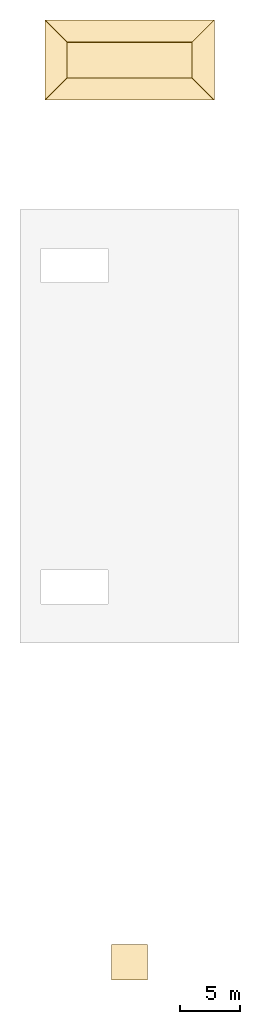
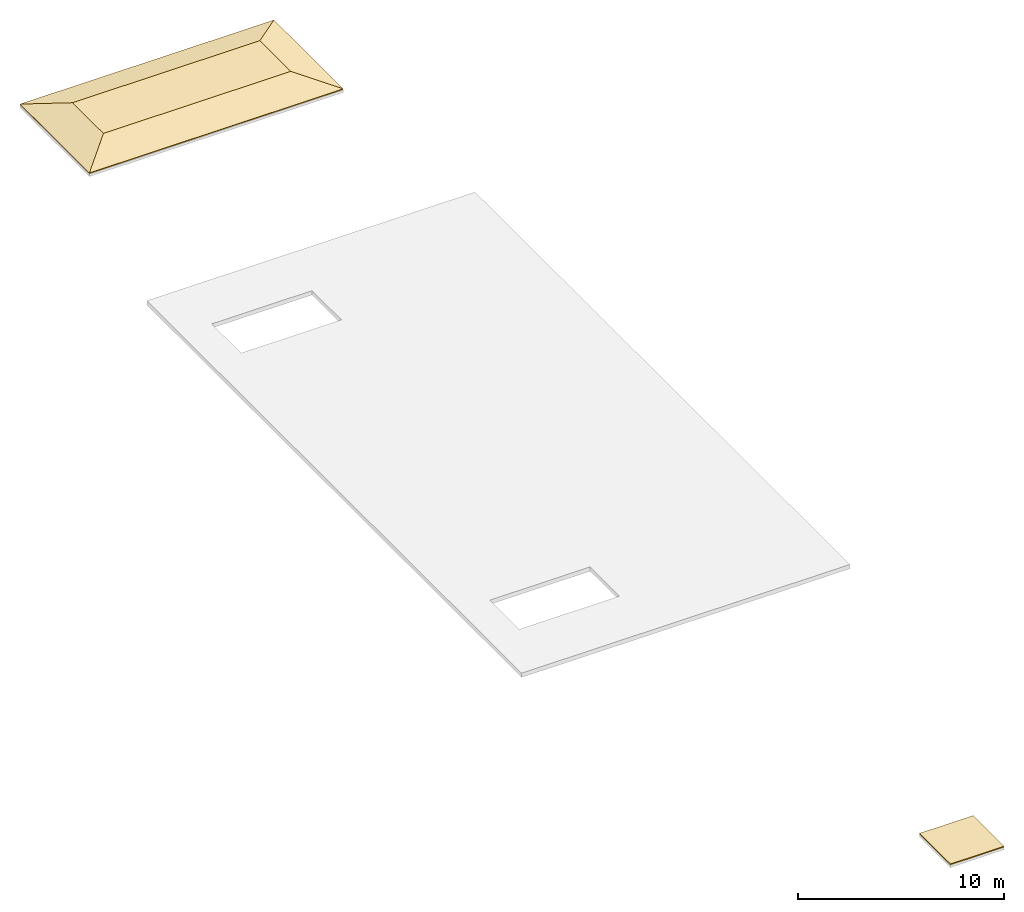
# One storey, part 2 of 2: 6 coverings.
"""IFC4 building model written with IfcOpenShell, lengths in metres."""

from ifc_helpers import new_model, si_unit, direction, frame, origin, place, context, subcontext, project, spatial, polyline, outline, extrude, material, layer, layer_set, type_object, element, save


model = new_model("IFC4")

# Units and contexts
model_context = context("Model", 3, precision=1e-05, world=origin(), true_north=direction((0.0, 1.0)))
body_context = subcontext(model_context, "Body", "Model", "MODEL_VIEW")
ifc_project = project(units=[si_unit("LENGTHUNIT", "METRE"), si_unit("AREAUNIT", "SQUARE_METRE"), si_unit("VOLUMEUNIT", "CUBIC_METRE"), si_unit("PLANEANGLEUNIT", "RADIAN"), si_unit("MASSUNIT", "GRAM", prefix="KILO")], contexts=[model_context])

# Site, building, storey
site_placement = place(None, origin())
site = spatial("IfcSite", under=ifc_project, at=site_placement, CompositionType="ELEMENT")
building_placement = place(site_placement, origin())
building = spatial("IfcBuilding", under=site, at=building_placement, Name="Golden Quay Civic Hall", CompositionType="ELEMENT")
storey_placement = place(building_placement, frame((0.0, 0.0, 30.60009765625)))
storey = spatial("IfcBuildingStorey", under=building, at=storey_placement, Name="Roof", CompositionType="ELEMENT", Elevation=30.60009765625)

# Coverings
ifc_material = material(Name="Clay roof tile")
ifc_layer = layer(ifc_material, 0.06005859375)
ifc_layer_set = layer_set([ifc_layer], Name="Clay roof tile 60")
covering_type = type_object("IfcCoveringType", Name="Clay roof tile 60", PredefinedType="ROOFING", material=ifc_layer_set)
covering_1_placement = place(storey_placement, frame((0.0, 0.0, 3.09814453125)))
element("IfcCovering", 1, at=covering_1_placement, inside=storey, type_object=covering_type, Name="Roof tiles WO-S cap", PredefinedType="ROOFING", context=body_context, shape_type="SweptSolid", body=[
    extrude(outline(polyline([(7.5, -1.5), (10.5, -1.5), (10.5, 1.5), (7.5, 1.5), (7.5, -1.5)])), origin(), (0.0, 0.0, 1.0), 0.06005859375),
])
covering_2_placement = place(storey_placement, frame((1.883056640625, 72.383056640625, 1.274169921875), z_axis=(0.0, -0.287336394204, 0.957829732555), x_axis=(1.0, 0.0, 0.0)))
element("IfcCovering", 2, at=covering_2_placement, inside=storey, type_object=covering_type, Name="Roof tiles WO-N south upper", PredefinedType="ROOFING", context=body_context, shape_type="SweptSolid", body=[
    extrude(outline(polyline([(0.0, 0.0), (14.23388671875, 0.0), (12.366943359375, 1.9491390754760518), (1.866943359375, 1.9491390754760518), (0.0, 0.0)])), origin(), (0.0, 0.0, -1.0), 0.06005859375),
])
covering_3_placement = place(storey_placement, frame((1.883056640625, 79.116943359375, 1.274169921875), z_axis=(0.0, 0.287336394204, 0.957829732555), x_axis=(1.0, 0.0, 0.0)))
element("IfcCovering", 3, at=covering_3_placement, inside=storey, type_object=covering_type, Name="Roof tiles WO-N north upper", PredefinedType="ROOFING", context=body_context, shape_type="SweptSolid", body=[
    extrude(outline(polyline([(0.0, 0.0), (14.23388671875, 0.0), (12.366943359375, -1.9491390754760518), (1.866943359375, -1.9491390754760518), (0.0, 0.0)])), origin(), (0.0, 0.0, -1.0), 0.06005859375),
])
covering_4_placement = place(storey_placement, frame((1.883056640625, 72.383056640625, 1.274169921875), z_axis=(-0.287336394204, 0.0, 0.957829732555), x_axis=(0.0, 1.0, 0.0)))
element("IfcCovering", 4, at=covering_4_placement, inside=storey, type_object=covering_type, Name="Roof tiles WO-N west upper", PredefinedType="ROOFING", context=body_context, shape_type="SweptSolid", body=[
    extrude(outline(polyline([(0.0, 0.0), (6.73388671875, 0.0), (4.866943359375, -1.9491390754760518), (1.866943359375, -1.9491390754760518), (0.0, 0.0)])), origin(), (0.0, 0.0, -1.0), 0.06005859375),
])
covering_5_placement = place(storey_placement, frame((16.116943359375, 72.383056640625, 1.274169921875), z_axis=(0.287336394204, 0.0, 0.957829732555), x_axis=(0.0, 1.0, 0.0)))
element("IfcCovering", 5, at=covering_5_placement, inside=storey, type_object=covering_type, Name="Roof tiles WO-N east upper", PredefinedType="ROOFING", context=body_context, shape_type="SweptSolid", body=[
    extrude(outline(polyline([(0.0, 0.0), (6.73388671875, 0.0), (4.866943359375, 1.9491390754760518), (1.866943359375, 1.9491390754760518), (0.0, 0.0)])), origin(), (0.0, 0.0, -1.0), 0.06005859375),
])
covering_6_placement = place(storey_placement, frame((0.0, 0.0, 1.7744140625)))
element("IfcCovering", 6, at=covering_6_placement, inside=storey, type_object=covering_type, Name="Roof tiles WO-N cap", PredefinedType="ROOFING", context=body_context, shape_type="SweptSolid", body=[
    extrude(outline(polyline([(3.75, 74.25), (14.25, 74.25), (14.25, 77.25), (3.75, 77.25), (3.75, 74.25)])), origin(), (0.0, 0.0, 1.0), 0.059814453125),
])

save(model, "model.ifc")
